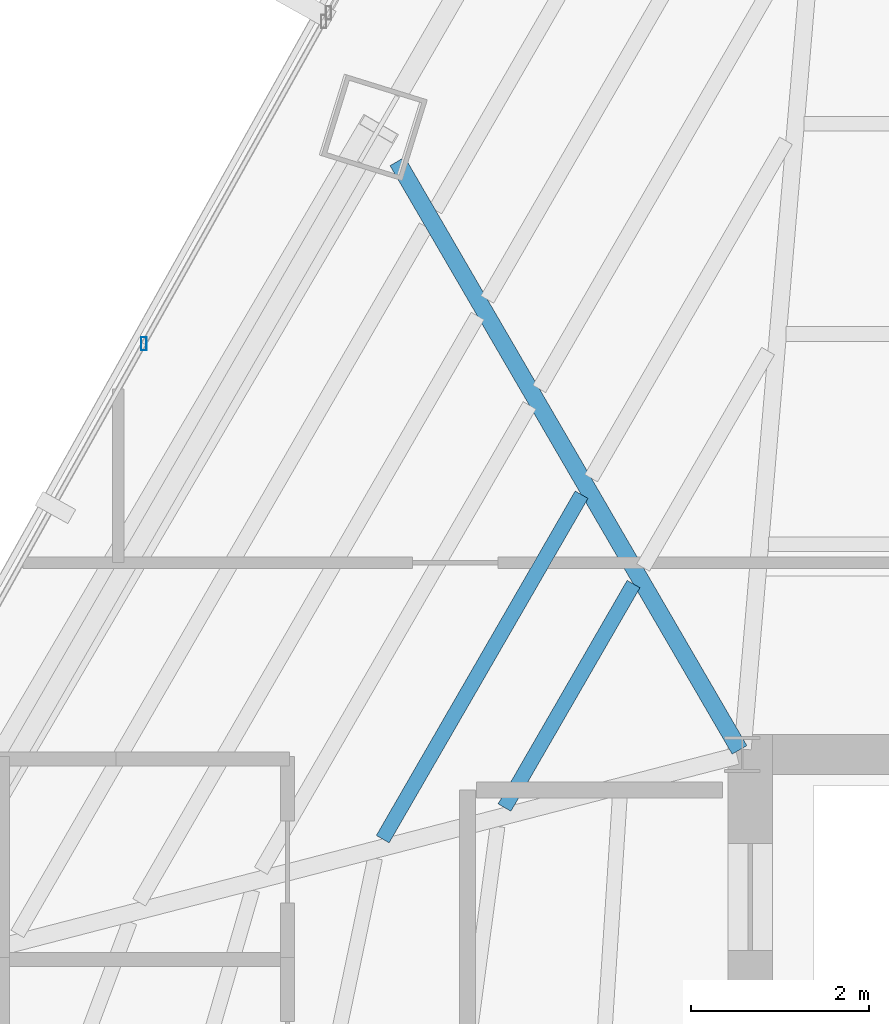
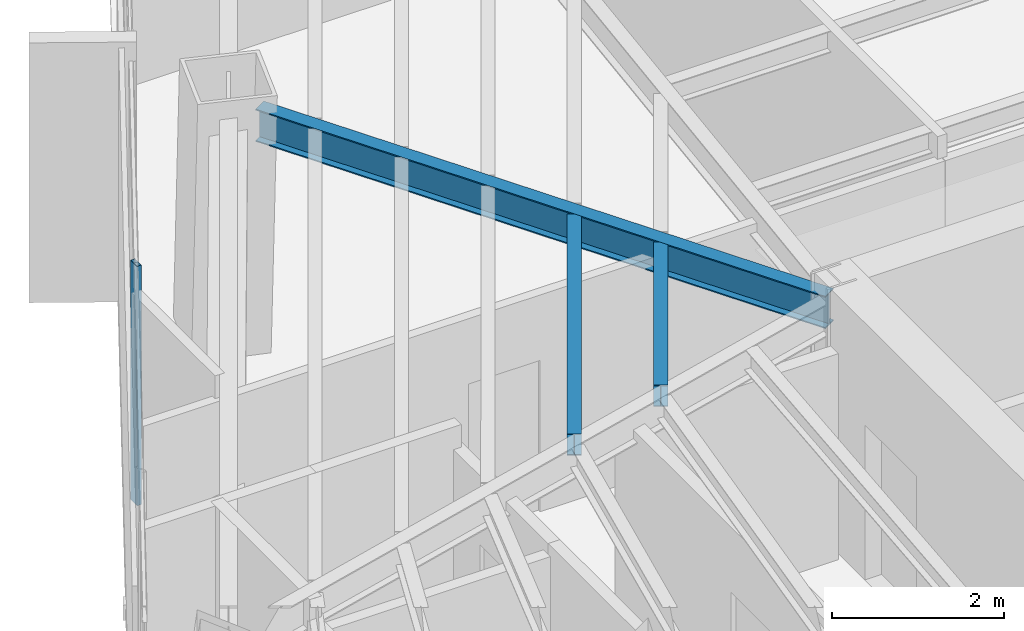
# One storey, part 15 of 38: 3 beams, 1 member, 1 element without a shape of its own.
"""IFC4 building model written with IfcOpenShell, lengths in metres."""

from ifc_helpers import new_model, si_unit, direction, frame, origin, origin_2d, place, context, subcontext, project, spatial, hollow_rectangle, i_section, extrude, source, transform, mapped, material, material_profile, profile_set, type_object, type_shapes, element, aggregate, save


model = new_model("IFC4")

# Units and contexts
model_context = context("Model", 3, precision=1e-05, world=origin(), true_north=direction((0.0, 1.0)))
body_context = subcontext(model_context, "Body", "Model", "MODEL_VIEW")
ifc_project = project(units=[si_unit("LENGTHUNIT", "METRE"), si_unit("AREAUNIT", "SQUARE_METRE"), si_unit("VOLUMEUNIT", "CUBIC_METRE"), si_unit("PLANEANGLEUNIT", "RADIAN"), si_unit("MASSUNIT", "GRAM", prefix="KILO")], contexts=[model_context])

# Site, building, storey
site_placement = place(None, origin())
site = spatial("IfcSite", under=ifc_project, at=site_placement, CompositionType="ELEMENT")
building_placement = place(site_placement, origin())
building = spatial("IfcBuilding", under=site, at=building_placement, Name="Caelisora Broadcast Tower", CompositionType="ELEMENT")
storey_placement = place(building_placement, frame((0.0, 0.0, 158.5)))
storey = spatial("IfcBuildingStorey", under=building, at=storey_placement, Name="L41", CompositionType="ELEMENT", Elevation=158.5)

# Beams
ifc_material_1 = material(Name="Steel Grade 350 (AS/NZS 3679.1)", Category="steel")
ifc_material_profile_1 = material_profile(ifc_material_1, i_section(OverallWidth=0.19091796875, OverallDepth=0.46044921875, WebThickness=0.010009765625, FlangeThickness=0.01611328125, at=origin_2d()), Name="Steel Grade 350 (AS/NZS 3679.1)")
ifc_profile_set_1 = profile_set([ifc_material_profile_1], Name="Steel Grade 350 (AS/NZS 3679.1)")
beam_type_1 = type_object("IfcBeamType", Name="PG06", PredefinedType="BEAM", material=ifc_profile_set_1)
shared_shape_1 = source(origin(), body_context, "Body", "SweptSolid", [
    extrude(i_section(OverallWidth=0.19091796875, OverallDepth=0.46044921875, WebThickness=0.010009765625, FlangeThickness=0.01611328125, at=origin_2d()), origin(), (0.0, 0.0, 1.0), 7.63427734375),
])
type_shapes(beam_type_1, [shared_shape_1])
beam_1_placement = place(storey_placement, frame((30.4697265625, 30.052001953125, 3.169921875), z_axis=(-0.502685487794, 0.864469375028, 0.0), x_axis=(-0.864469375028, -0.502685487794, 0.0)))
element("IfcBeam", 1, at=beam_1_placement, inside=storey, type_object=beam_type_1, Name="L41 beam PG06", PredefinedType="BEAM", context=body_context, shape_type="MappedRepresentation", body=[
    mapped(shared_shape_1, transform((0.0, 0.0, 0.0), scale=1.0)),
])
ifc_material_profile_2 = material_profile(ifc_material_1, i_section(OverallWidth=0.166015625, OverallDepth=0.30712890625, WebThickness=0.006591796875, FlangeThickness=0.01171875, at=origin_2d()), Name="Steel Grade 350 (AS/NZS 3679.1)")
ifc_profile_set_2 = profile_set([ifc_material_profile_2], Name="Steel Grade 350 (AS/NZS 3679.1)")
beam_type_2 = type_object("IfcBeamType", Name="SB03", PredefinedType="JOIST", material=ifc_profile_set_2)
shared_shape_2 = source(origin(), body_context, "Body", "SweptSolid", [
    extrude(i_section(OverallWidth=0.166015625, OverallDepth=0.30712890625, WebThickness=0.006591796875, FlangeThickness=0.01171875, at=origin_2d()), origin(), (0.0, 0.0, 1.0), 2.89404296875),
])
beam_2_placement = place(storey_placement, frame((29.281005859375, 31.911376953125, 3.246337890625), z_axis=(-0.499995073634, -0.866028248005, 0.0), x_axis=(0.866028248005, -0.499995073634, 0.0)))
element("IfcBeam", 2, at=beam_2_placement, inside=storey, type_object=beam_type_2, Name="L41 beam SB03", PredefinedType="JOIST", context=body_context, shape_type="MappedRepresentation", body=[
    mapped(shared_shape_2, transform((0.0, 0.0, 0.0), scale=1.0)),
])
shared_shape_3 = source(origin(), body_context, "Body", "SweptSolid", [
    extrude(i_section(OverallWidth=0.166015625, OverallDepth=0.30712890625, WebThickness=0.006591796875, FlangeThickness=0.01171875, at=origin_2d()), origin(), (0.0, 0.0, 1.0), 4.46044921875),
])
type_shapes(beam_type_2, [shared_shape_2, shared_shape_3])
beam_3_placement = place(storey_placement, frame((28.698486328125, 32.91357421875, 3.246337890625), z_axis=(-0.500006734102, -0.866021515814, 0.0), x_axis=(0.866021515814, -0.500006734102, 0.0)))
element("IfcBeam", 3, at=beam_3_placement, inside=storey, type_object=beam_type_2, Name="L41 beam SB03", PredefinedType="JOIST", context=body_context, shape_type="MappedRepresentation", body=[
    mapped(shared_shape_3, transform((0.0, 0.0, 0.0), scale=1.0)),
])

# Curtain wall, member
ifc_material_2 = material(Name="Unitised Aluminium Insulated Shadow-Box Spandrel Curtain Wall", Category="aluminium")
curtain_wall_type = type_object("IfcCurtainWallType", Name="CW-SP2", PredefinedType="NOTDEFINED", material=ifc_material_2)
curtain_wall_placement = place(storey_placement, origin())
curtain_wall = element("IfcCurtainWall", 4, at=curtain_wall_placement, inside=storey, type_object=curtain_wall_type, Name="L41 curtain wall CW-SP2", PredefinedType="NOTDEFINED")
ifc_material_3 = material(Name="Aluminium 6063-T6 Anodised Terracotta Bronze", Category="aluminium")
ifc_material_profile_3 = material_profile(ifc_material_3, hollow_rectangle(XDim=0.06005859375, YDim=0.14990234375, WallThickness=0.00341796875, at=origin_2d()), Name="Aluminium 6063-T6 Anodised Terracotta Bronze")
ifc_profile_set_3 = profile_set([ifc_material_profile_3], Name="Aluminium 6063-T6 Anodised Terracotta Bronze")
member_type = type_object("IfcMemberType", Name="CWM-03", PredefinedType="MULLION", material=ifc_profile_set_3)
shared_shape_4 = source(origin(), body_context, "Body", "SweptSolid", [
    extrude(hollow_rectangle(XDim=0.06005859375, YDim=0.14990234375, WallThickness=0.00341796875, at=origin_2d()), origin(), (0.0, 0.0, 1.0), 3.39990234375),
])
type_shapes(member_type, [shared_shape_4])
member_placement = place(storey_placement, frame((23.788818359375, 34.607421875, 0.0), z_axis=(0.0, 0.0, 1.0), x_axis=(1.0, 0.0, 0.0)))
member = element("IfcMember", 5, at=member_placement, type_object=member_type, Name="L41-CW-B10 mullion #2", PredefinedType="MULLION", context=body_context, shape_type="MappedRepresentation", body=[
    mapped(shared_shape_4, transform((0.0, 0.0, 0.0), scale=1.0)),
])
aggregate(curtain_wall, [member])

save(model, "model.ifc")
